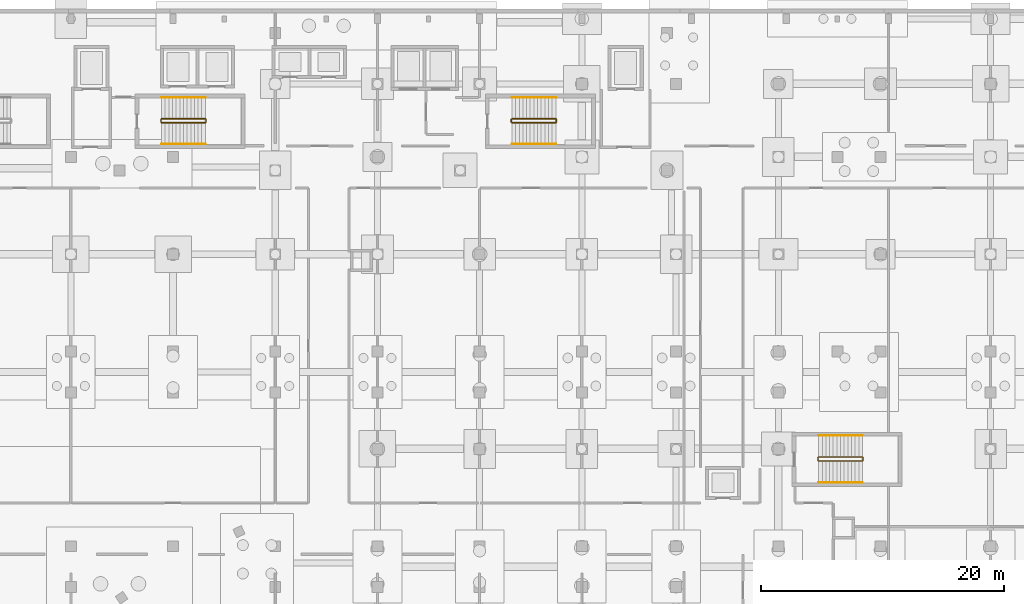
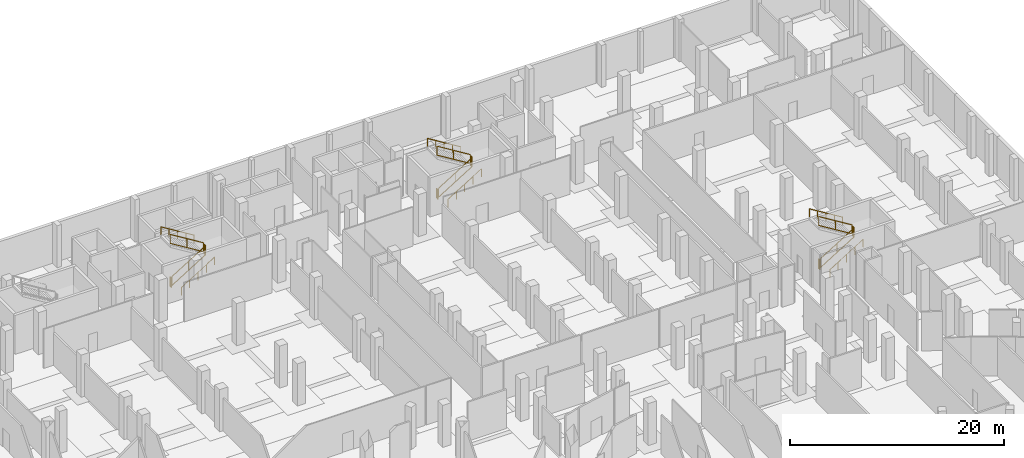
# One storey, part 44 of 45: 18 railings.
"""IFC4 building model written with IfcOpenShell, lengths in metres."""

from ifc_helpers import new_model, si_unit, direction, frame, origin, origin_2d, place, context, subcontext, project, spatial, rectangle, circle, extrude, material, type_object, element, save


model = new_model("IFC4")

# Units and contexts
model_context = context("Model", 3, precision=1e-05, world=origin(), true_north=direction((0.0, 1.0)))
body_context = subcontext(model_context, "Body", "Model", "MODEL_VIEW")
ifc_project = project(units=[si_unit("LENGTHUNIT", "METRE"), si_unit("AREAUNIT", "SQUARE_METRE"), si_unit("VOLUMEUNIT", "CUBIC_METRE"), si_unit("PLANEANGLEUNIT", "RADIAN"), si_unit("MASSUNIT", "GRAM", prefix="KILO")], contexts=[model_context])

# Site, building, storey
site_placement = place(None, origin())
site = spatial("IfcSite", under=ifc_project, at=site_placement, CompositionType="ELEMENT")
building_placement = place(site_placement, origin())
building = spatial("IfcBuilding", under=site, at=building_placement, Name="Selatvlak General Hospital", CompositionType="ELEMENT")
storey_placement = place(building_placement, frame((0.0, 0.0, -4.800048828125)))
storey = spatial("IfcBuildingStorey", under=building, at=storey_placement, Name="B1", CompositionType="ELEMENT", Elevation=-4.800048828125)

# Railings
ifc_material_1 = material(Name="Stainless steel 316 stair guard", Category="steel")
railing_type_1 = type_object("IfcRailingType", Name="RAIL-STG", PredefinedType="GUARDRAIL", material=ifc_material_1)
railing_1_placement = place(storey_placement, frame((105.860107421875, 110.81005859375, 0.1845703125)))
element("IfcRailing", 1, at=railing_1_placement, inside=storey, type_object=railing_type_1, Name="B1 ST-03 stair guard 1", PredefinedType="GUARDRAIL", context=body_context, shape_type="SweptSolid", body=[
    extrude(rectangle(XDim=0.068115234375, YDim=0.068115234375, at=origin_2d()), frame((0.00244140625, 0.0, 1.067626953125), z_axis=(0.851628569182, 0.0, 0.524145762315), x_axis=(0.0, 1.0, 0.0)), (0.0, 0.0, 1.0), 4.22119140625),
    extrude(rectangle(XDim=0.068115234375, YDim=0.068115234375, at=origin_2d()), frame((0.00244140625, 0.0, 0.050537109375), z_axis=(0.851628569182, 0.0, 0.524145762315), x_axis=(0.0, 1.0, 0.0)), (0.0, 0.0, 1.0), 4.22119140625),
    extrude(rectangle(XDim=0.055908203125, YDim=0.055908203125, at=origin_2d()), origin(), (0.0, 0.0, 1.0), 1.029052734375),
    extrude(rectangle(XDim=0.055908203125, YDim=0.055908203125, at=origin_2d()), frame((1.7998046875, 0.0, 1.10791015625)), (0.0, 0.0, 1.0), 1.029052734375),
    extrude(rectangle(XDim=0.055908203125, YDim=0.055908203125, at=origin_2d()), frame((3.599853515625, 0.0, 2.215576171875)), (0.0, 0.0, 1.0), 1.029052734375),
])
railing_2_placement = place(storey_placement, frame((109.510009765625, 110.860107421875, 2.400146484375)))
element("IfcRailing", 2, at=railing_2_placement, inside=storey, type_object=railing_type_1, Name="B1 ST-03 stair guard 2", PredefinedType="GUARDRAIL", context=body_context, shape_type="SweptSolid", body=[
    extrude(rectangle(XDim=0.068115234375, YDim=0.068115234375, at=origin_2d()), frame((0.0, 0.0029296875, 1.06591796875), z_axis=(0.0, 1.0, 0.0), x_axis=(-1.0, 0.0, 0.0)), (0.0, 0.0, 1.0), 0.214111328125),
    extrude(rectangle(XDim=0.068115234375, YDim=0.068115234375, at=origin_2d()), frame((0.0, 0.0029296875, 0.049072265625), z_axis=(0.0, 1.0, 0.0), x_axis=(-1.0, 0.0, 0.0)), (0.0, 0.0, 1.0), 0.214111328125),
    extrude(rectangle(XDim=0.055908203125, YDim=0.055908203125, at=origin_2d()), origin(), (0.0, 0.0, 1.0), 1.029052734375),
    extrude(rectangle(XDim=0.055908203125, YDim=0.055908203125, at=origin_2d()), frame((0.0, 0.219970703125, 0.0)), (0.0, 0.0, 1.0), 1.029052734375),
])
railing_3_placement = place(storey_placement, frame((109.4599609375, 111.1298828125, 2.584716796875)))
element("IfcRailing", 3, at=railing_3_placement, inside=storey, type_object=railing_type_1, Name="B1 ST-03 stair guard 3", PredefinedType="GUARDRAIL", context=body_context, shape_type="SweptSolid", body=[
    extrude(rectangle(XDim=0.068115234375, YDim=0.068115234375, at=origin_2d()), frame((-0.00244140625, 0.0, 1.067626953125), z_axis=(-0.851654350407, 0.0, 0.524103870844), x_axis=(0.0, -1.0, 0.0)), (0.0, 0.0, 1.0), 4.220947265625),
    extrude(rectangle(XDim=0.068115234375, YDim=0.068115234375, at=origin_2d()), frame((-0.00244140625, 0.0, 0.050537109375), z_axis=(-0.851654350407, 0.0, 0.524103870844), x_axis=(0.0, -1.0, 0.0)), (0.0, 0.0, 1.0), 4.220947265625),
    extrude(rectangle(XDim=0.055908203125, YDim=0.055908203125, at=origin_2d()), origin(), (0.0, 0.0, 1.0), 1.029052734375),
    extrude(rectangle(XDim=0.055908203125, YDim=0.055908203125, at=origin_2d()), frame((-1.7998046875, 0.0, 1.107666015625)), (0.0, 0.0, 1.0), 1.029052734375),
    extrude(rectangle(XDim=0.055908203125, YDim=0.055908203125, at=origin_2d()), frame((-3.599853515625, 0.0, 2.21533203125)), (0.0, 0.0, 1.0), 1.029052734375),
])
railing_4_placement = place(storey_placement, frame((105.81005859375, 110.860107421875, 0.0)))
element("IfcRailing", 4, at=railing_4_placement, inside=storey, type_object=railing_type_1, Name="B1 ST-03 stair guard 4", PredefinedType="GUARDRAIL", context=body_context, shape_type="SweptSolid", body=[
    extrude(rectangle(XDim=0.068115234375, YDim=0.068115234375, at=origin_2d()), frame((0.0, 0.0029296875, 1.06591796875), z_axis=(0.0, 1.0, 0.0), x_axis=(-1.0, 0.0, 0.0)), (0.0, 0.0, 1.0), 0.214111328125),
    extrude(rectangle(XDim=0.068115234375, YDim=0.068115234375, at=origin_2d()), frame((0.0, 0.0029296875, 0.049072265625), z_axis=(0.0, 1.0, 0.0), x_axis=(-1.0, 0.0, 0.0)), (0.0, 0.0, 1.0), 0.214111328125),
    extrude(rectangle(XDim=0.055908203125, YDim=0.055908203125, at=origin_2d()), origin(), (0.0, 0.0, 1.0), 1.029052734375),
    extrude(rectangle(XDim=0.055908203125, YDim=0.055908203125, at=origin_2d()), frame((0.0, 0.219970703125, 0.0)), (0.0, 0.0, 1.0), 1.029052734375),
])
railing_5_placement = place(storey_placement, frame((134.659912109375, 110.81005859375, 0.1845703125)))
element("IfcRailing", 5, at=railing_5_placement, inside=storey, type_object=railing_type_1, Name="B1 ST-04 stair guard 1", PredefinedType="GUARDRAIL", context=body_context, shape_type="SweptSolid", body=[
    extrude(rectangle(XDim=0.068115234375, YDim=0.068115234375, at=origin_2d()), frame((0.00244140625, 0.0, 1.067626953125), z_axis=(0.851644435552, 0.0, 0.524119981868), x_axis=(0.0, 1.0, 0.0)), (0.0, 0.0, 1.0), 4.221435546875),
    extrude(rectangle(XDim=0.068115234375, YDim=0.068115234375, at=origin_2d()), frame((0.00244140625, 0.0, 0.050537109375), z_axis=(0.851644435552, 0.0, 0.524119981868), x_axis=(0.0, 1.0, 0.0)), (0.0, 0.0, 1.0), 4.221435546875),
    extrude(rectangle(XDim=0.055908203125, YDim=0.055908203125, at=origin_2d()), origin(), (0.0, 0.0, 1.0), 1.029052734375),
    extrude(rectangle(XDim=0.055908203125, YDim=0.055908203125, at=origin_2d()), frame((1.800048828125, 0.0, 1.10791015625)), (0.0, 0.0, 1.0), 1.029052734375),
    extrude(rectangle(XDim=0.055908203125, YDim=0.055908203125, at=origin_2d()), frame((3.60009765625, 0.0, 2.215576171875)), (0.0, 0.0, 1.0), 1.029052734375),
])
railing_6_placement = place(storey_placement, frame((138.31005859375, 110.860107421875, 2.400146484375)))
element("IfcRailing", 6, at=railing_6_placement, inside=storey, type_object=railing_type_1, Name="B1 ST-04 stair guard 2", PredefinedType="GUARDRAIL", context=body_context, shape_type="SweptSolid", body=[
    extrude(rectangle(XDim=0.068115234375, YDim=0.068115234375, at=origin_2d()), frame((0.0, 0.0029296875, 1.06591796875), z_axis=(0.0, 1.0, 0.0), x_axis=(-1.0, 0.0, 0.0)), (0.0, 0.0, 1.0), 0.214111328125),
    extrude(rectangle(XDim=0.068115234375, YDim=0.068115234375, at=origin_2d()), frame((0.0, 0.0029296875, 0.049072265625), z_axis=(0.0, 1.0, 0.0), x_axis=(-1.0, 0.0, 0.0)), (0.0, 0.0, 1.0), 0.214111328125),
    extrude(rectangle(XDim=0.055908203125, YDim=0.055908203125, at=origin_2d()), origin(), (0.0, 0.0, 1.0), 1.029052734375),
    extrude(rectangle(XDim=0.055908203125, YDim=0.055908203125, at=origin_2d()), frame((0.0, 0.219970703125, 0.0)), (0.0, 0.0, 1.0), 1.029052734375),
])
railing_7_placement = place(storey_placement, frame((138.260009765625, 111.1298828125, 2.584716796875)))
element("IfcRailing", 7, at=railing_7_placement, inside=storey, type_object=railing_type_1, Name="B1 ST-04 stair guard 3", PredefinedType="GUARDRAIL", context=body_context, shape_type="SweptSolid", body=[
    extrude(rectangle(XDim=0.068115234375, YDim=0.068115234375, at=origin_2d()), frame((-0.00244140625, 0.0, 1.067626953125), z_axis=(-0.85167021472, 0.0, 0.524078090897), x_axis=(0.0, -1.0, 0.0)), (0.0, 0.0, 1.0), 4.22119140625),
    extrude(rectangle(XDim=0.068115234375, YDim=0.068115234375, at=origin_2d()), frame((-0.00244140625, 0.0, 0.050537109375), z_axis=(-0.85167021472, 0.0, 0.524078090897), x_axis=(0.0, -1.0, 0.0)), (0.0, 0.0, 1.0), 4.22119140625),
    extrude(rectangle(XDim=0.055908203125, YDim=0.055908203125, at=origin_2d()), origin(), (0.0, 0.0, 1.0), 1.029052734375),
    extrude(rectangle(XDim=0.055908203125, YDim=0.055908203125, at=origin_2d()), frame((-1.800048828125, 0.0, 1.107666015625)), (0.0, 0.0, 1.0), 1.029052734375),
    extrude(rectangle(XDim=0.055908203125, YDim=0.055908203125, at=origin_2d()), frame((-3.60009765625, 0.0, 2.21533203125)), (0.0, 0.0, 1.0), 1.029052734375),
])
railing_8_placement = place(storey_placement, frame((134.610107421875, 110.860107421875, 0.0)))
element("IfcRailing", 8, at=railing_8_placement, inside=storey, type_object=railing_type_1, Name="B1 ST-04 stair guard 4", PredefinedType="GUARDRAIL", context=body_context, shape_type="SweptSolid", body=[
    extrude(rectangle(XDim=0.068115234375, YDim=0.068115234375, at=origin_2d()), frame((0.0, 0.0029296875, 1.06591796875), z_axis=(0.0, 1.0, 0.0), x_axis=(-1.0, 0.0, 0.0)), (0.0, 0.0, 1.0), 0.214111328125),
    extrude(rectangle(XDim=0.068115234375, YDim=0.068115234375, at=origin_2d()), frame((0.0, 0.0029296875, 0.049072265625), z_axis=(0.0, 1.0, 0.0), x_axis=(-1.0, 0.0, 0.0)), (0.0, 0.0, 1.0), 0.214111328125),
    extrude(rectangle(XDim=0.055908203125, YDim=0.055908203125, at=origin_2d()), origin(), (0.0, 0.0, 1.0), 1.029052734375),
    extrude(rectangle(XDim=0.055908203125, YDim=0.055908203125, at=origin_2d()), frame((0.0, 0.219970703125, 0.0)), (0.0, 0.0, 1.0), 1.029052734375),
])
railing_9_placement = place(storey_placement, frame((159.860107421875, 83.010009765625, 0.1845703125)))
element("IfcRailing", 9, at=railing_9_placement, inside=storey, type_object=railing_type_1, Name="B1 ST-06 stair guard 1", PredefinedType="GUARDRAIL", context=body_context, shape_type="SweptSolid", body=[
    extrude(rectangle(XDim=0.068115234375, YDim=0.068115234375, at=origin_2d()), frame((0.00244140625, 0.0, 1.067626953125), z_axis=(0.851628569182, 0.0, 0.524145762315), x_axis=(0.0, 1.0, 0.0)), (0.0, 0.0, 1.0), 4.22119140625),
    extrude(rectangle(XDim=0.068115234375, YDim=0.068115234375, at=origin_2d()), frame((0.00244140625, 0.0, 0.050537109375), z_axis=(0.851628569182, 0.0, 0.524145762315), x_axis=(0.0, 1.0, 0.0)), (0.0, 0.0, 1.0), 4.22119140625),
    extrude(rectangle(XDim=0.055908203125, YDim=0.055908203125, at=origin_2d()), origin(), (0.0, 0.0, 1.0), 1.029052734375),
    extrude(rectangle(XDim=0.055908203125, YDim=0.055908203125, at=origin_2d()), frame((1.7998046875, 0.0, 1.10791015625)), (0.0, 0.0, 1.0), 1.029052734375),
    extrude(rectangle(XDim=0.055908203125, YDim=0.055908203125, at=origin_2d()), frame((3.599853515625, 0.0, 2.215576171875)), (0.0, 0.0, 1.0), 1.029052734375),
])
railing_10_placement = place(storey_placement, frame((163.510009765625, 83.06005859375, 2.400146484375)))
element("IfcRailing", 10, at=railing_10_placement, inside=storey, type_object=railing_type_1, Name="B1 ST-06 stair guard 2", PredefinedType="GUARDRAIL", context=body_context, shape_type="SweptSolid", body=[
    extrude(rectangle(XDim=0.068115234375, YDim=0.068115234375, at=origin_2d()), frame((0.0, 0.0029296875, 1.06591796875), z_axis=(0.0, 1.0, 0.0), x_axis=(-1.0, 0.0, 0.0)), (0.0, 0.0, 1.0), 0.214111328125),
    extrude(rectangle(XDim=0.068115234375, YDim=0.068115234375, at=origin_2d()), frame((0.0, 0.0029296875, 0.049072265625), z_axis=(0.0, 1.0, 0.0), x_axis=(-1.0, 0.0, 0.0)), (0.0, 0.0, 1.0), 0.214111328125),
    extrude(rectangle(XDim=0.055908203125, YDim=0.055908203125, at=origin_2d()), origin(), (0.0, 0.0, 1.0), 1.029052734375),
    extrude(rectangle(XDim=0.055908203125, YDim=0.055908203125, at=origin_2d()), frame((0.0, 0.219970703125, 0.0)), (0.0, 0.0, 1.0), 1.029052734375),
])
railing_11_placement = place(storey_placement, frame((163.4599609375, 83.330078125, 2.584716796875)))
element("IfcRailing", 11, at=railing_11_placement, inside=storey, type_object=railing_type_1, Name="B1 ST-06 stair guard 3", PredefinedType="GUARDRAIL", context=body_context, shape_type="SweptSolid", body=[
    extrude(rectangle(XDim=0.068115234375, YDim=0.068115234375, at=origin_2d()), frame((-0.00244140625, 0.0, 1.067626953125), z_axis=(-0.851654350407, 0.0, 0.524103870844), x_axis=(0.0, -1.0, 0.0)), (0.0, 0.0, 1.0), 4.220947265625),
    extrude(rectangle(XDim=0.068115234375, YDim=0.068115234375, at=origin_2d()), frame((-0.00244140625, 0.0, 0.050537109375), z_axis=(-0.851654350407, 0.0, 0.524103870844), x_axis=(0.0, -1.0, 0.0)), (0.0, 0.0, 1.0), 4.220947265625),
    extrude(rectangle(XDim=0.055908203125, YDim=0.055908203125, at=origin_2d()), origin(), (0.0, 0.0, 1.0), 1.029052734375),
    extrude(rectangle(XDim=0.055908203125, YDim=0.055908203125, at=origin_2d()), frame((-1.7998046875, 0.0, 1.107666015625)), (0.0, 0.0, 1.0), 1.029052734375),
    extrude(rectangle(XDim=0.055908203125, YDim=0.055908203125, at=origin_2d()), frame((-3.599853515625, 0.0, 2.21533203125)), (0.0, 0.0, 1.0), 1.029052734375),
])
railing_12_placement = place(storey_placement, frame((159.81005859375, 83.06005859375, 0.0)))
element("IfcRailing", 12, at=railing_12_placement, inside=storey, type_object=railing_type_1, Name="B1 ST-06 stair guard 4", PredefinedType="GUARDRAIL", context=body_context, shape_type="SweptSolid", body=[
    extrude(rectangle(XDim=0.068115234375, YDim=0.068115234375, at=origin_2d()), frame((0.0, 0.0029296875, 1.06591796875), z_axis=(0.0, 1.0, 0.0), x_axis=(-1.0, 0.0, 0.0)), (0.0, 0.0, 1.0), 0.214111328125),
    extrude(rectangle(XDim=0.068115234375, YDim=0.068115234375, at=origin_2d()), frame((0.0, 0.0029296875, 0.049072265625), z_axis=(0.0, 1.0, 0.0), x_axis=(-1.0, 0.0, 0.0)), (0.0, 0.0, 1.0), 0.214111328125),
    extrude(rectangle(XDim=0.055908203125, YDim=0.055908203125, at=origin_2d()), origin(), (0.0, 0.0, 1.0), 1.029052734375),
    extrude(rectangle(XDim=0.055908203125, YDim=0.055908203125, at=origin_2d()), frame((0.0, 0.219970703125, 0.0)), (0.0, 0.0, 1.0), 1.029052734375),
])
ifc_material_2 = material(Name="Stainless steel 316 handrail", Category="steel")
railing_type_2 = type_object("IfcRailingType", Name="RAIL-STH", PredefinedType="HANDRAIL", material=ifc_material_2)
railing_13_placement = place(storey_placement, frame((105.860107421875, 109.050048828125, 0.1845703125)))
element("IfcRailing", 13, at=railing_13_placement, inside=storey, type_object=railing_type_2, Name="B1 ST-03 stair handrail 1", PredefinedType="HANDRAIL", context=body_context, shape_type="SweptSolid", body=[
    extrude(circle(Radius=0.02392578125, at=origin_2d()), frame((0.00244140625, 0.0, 0.87744140625), z_axis=(0.851628569182, 0.0, 0.524145762315), x_axis=(0.0, 1.0, 0.0)), (0.0, 0.0, 1.0), 4.22119140625),
    extrude(circle(Radius=0.02099609375, at=origin_2d()), origin(), (0.0, 0.0, 1.0), 0.848876953125),
    extrude(circle(Radius=0.02099609375, at=origin_2d()), frame((0.89990234375, 0.0, 0.553955078125)), (0.0, 0.0, 1.0), 0.848876953125),
    extrude(circle(Radius=0.02099609375, at=origin_2d()), frame((1.7998046875, 0.0, 1.10791015625)), (0.0, 0.0, 1.0), 0.848876953125),
    extrude(circle(Radius=0.02099609375, at=origin_2d()), frame((2.699951171875, 0.0, 1.66162109375)), (0.0, 0.0, 1.0), 0.848876953125),
    extrude(circle(Radius=0.02099609375, at=origin_2d()), frame((3.599853515625, 0.0, 2.215576171875)), (0.0, 0.0, 1.0), 0.848876953125),
])
railing_14_placement = place(storey_placement, frame((109.4599609375, 112.889892578125, 2.584716796875)))
element("IfcRailing", 14, at=railing_14_placement, inside=storey, type_object=railing_type_2, Name="B1 ST-03 stair handrail 2", PredefinedType="HANDRAIL", context=body_context, shape_type="SweptSolid", body=[
    extrude(circle(Radius=0.02392578125, at=origin_2d()), frame((-0.00244140625, 0.0, 0.87744140625), z_axis=(-0.851654350407, 0.0, 0.524103870844), x_axis=(0.0, -1.0, 0.0)), (0.0, 0.0, 1.0), 4.220947265625),
    extrude(circle(Radius=0.02099609375, at=origin_2d()), origin(), (0.0, 0.0, 1.0), 0.848876953125),
    extrude(circle(Radius=0.02099609375, at=origin_2d()), frame((-0.89990234375, 0.0, 0.5537109375)), (0.0, 0.0, 1.0), 0.848876953125),
    extrude(circle(Radius=0.02099609375, at=origin_2d()), frame((-1.7998046875, 0.0, 1.107666015625)), (0.0, 0.0, 1.0), 0.848876953125),
    extrude(circle(Radius=0.02099609375, at=origin_2d()), frame((-2.699951171875, 0.0, 1.66162109375)), (0.0, 0.0, 1.0), 0.848876953125),
    extrude(circle(Radius=0.02099609375, at=origin_2d()), frame((-3.599853515625, 0.0, 2.21533203125)), (0.0, 0.0, 1.0), 0.848876953125),
])
railing_15_placement = place(storey_placement, frame((134.659912109375, 109.050048828125, 0.1845703125)))
element("IfcRailing", 15, at=railing_15_placement, inside=storey, type_object=railing_type_2, Name="B1 ST-04 stair handrail 1", PredefinedType="HANDRAIL", context=body_context, shape_type="SweptSolid", body=[
    extrude(circle(Radius=0.02392578125, at=origin_2d()), frame((0.00244140625, 0.0, 0.87744140625), z_axis=(0.851644435552, 0.0, 0.524119981868), x_axis=(0.0, 1.0, 0.0)), (0.0, 0.0, 1.0), 4.221435546875),
    extrude(circle(Radius=0.02099609375, at=origin_2d()), origin(), (0.0, 0.0, 1.0), 0.848876953125),
    extrude(circle(Radius=0.02099609375, at=origin_2d()), frame((0.89990234375, 0.0, 0.553955078125)), (0.0, 0.0, 1.0), 0.848876953125),
    extrude(circle(Radius=0.02099609375, at=origin_2d()), frame((1.800048828125, 0.0, 1.10791015625)), (0.0, 0.0, 1.0), 0.848876953125),
    extrude(circle(Radius=0.02099609375, at=origin_2d()), frame((2.7001953125, 0.0, 1.66162109375)), (0.0, 0.0, 1.0), 0.848876953125),
    extrude(circle(Radius=0.02099609375, at=origin_2d()), frame((3.60009765625, 0.0, 2.215576171875)), (0.0, 0.0, 1.0), 0.848876953125),
])
railing_16_placement = place(storey_placement, frame((138.260009765625, 112.889892578125, 2.584716796875)))
element("IfcRailing", 16, at=railing_16_placement, inside=storey, type_object=railing_type_2, Name="B1 ST-04 stair handrail 2", PredefinedType="HANDRAIL", context=body_context, shape_type="SweptSolid", body=[
    extrude(circle(Radius=0.02392578125, at=origin_2d()), frame((-0.00244140625, 0.0, 0.87744140625), z_axis=(-0.85167021472, 0.0, 0.524078090897), x_axis=(0.0, -1.0, 0.0)), (0.0, 0.0, 1.0), 4.22119140625),
    extrude(circle(Radius=0.02099609375, at=origin_2d()), origin(), (0.0, 0.0, 1.0), 0.848876953125),
    extrude(circle(Radius=0.02099609375, at=origin_2d()), frame((-0.89990234375, 0.0, 0.5537109375)), (0.0, 0.0, 1.0), 0.848876953125),
    extrude(circle(Radius=0.02099609375, at=origin_2d()), frame((-1.800048828125, 0.0, 1.107666015625)), (0.0, 0.0, 1.0), 0.848876953125),
    extrude(circle(Radius=0.02099609375, at=origin_2d()), frame((-2.7001953125, 0.0, 1.66162109375)), (0.0, 0.0, 1.0), 0.848876953125),
    extrude(circle(Radius=0.02099609375, at=origin_2d()), frame((-3.60009765625, 0.0, 2.21533203125)), (0.0, 0.0, 1.0), 0.848876953125),
])
railing_17_placement = place(storey_placement, frame((159.860107421875, 81.25, 0.1845703125)))
element("IfcRailing", 17, at=railing_17_placement, inside=storey, type_object=railing_type_2, Name="B1 ST-06 stair handrail 1", PredefinedType="HANDRAIL", context=body_context, shape_type="SweptSolid", body=[
    extrude(circle(Radius=0.02392578125, at=origin_2d()), frame((0.00244140625, 0.0, 0.87744140625), z_axis=(0.851628569182, 0.0, 0.524145762315), x_axis=(0.0, 1.0, 0.0)), (0.0, 0.0, 1.0), 4.22119140625),
    extrude(circle(Radius=0.02099609375, at=origin_2d()), origin(), (0.0, 0.0, 1.0), 0.848876953125),
    extrude(circle(Radius=0.02099609375, at=origin_2d()), frame((0.89990234375, 0.0, 0.553955078125)), (0.0, 0.0, 1.0), 0.848876953125),
    extrude(circle(Radius=0.02099609375, at=origin_2d()), frame((1.7998046875, 0.0, 1.10791015625)), (0.0, 0.0, 1.0), 0.848876953125),
    extrude(circle(Radius=0.02099609375, at=origin_2d()), frame((2.699951171875, 0.0, 1.66162109375)), (0.0, 0.0, 1.0), 0.848876953125),
    extrude(circle(Radius=0.02099609375, at=origin_2d()), frame((3.599853515625, 0.0, 2.215576171875)), (0.0, 0.0, 1.0), 0.848876953125),
])
railing_18_placement = place(storey_placement, frame((163.4599609375, 85.090087890625, 2.584716796875)))
element("IfcRailing", 18, at=railing_18_placement, inside=storey, type_object=railing_type_2, Name="B1 ST-06 stair handrail 2", PredefinedType="HANDRAIL", context=body_context, shape_type="SweptSolid", body=[
    extrude(circle(Radius=0.02392578125, at=origin_2d()), frame((-0.00244140625, 0.0, 0.87744140625), z_axis=(-0.851654350407, 0.0, 0.524103870844), x_axis=(0.0, -1.0, 0.0)), (0.0, 0.0, 1.0), 4.220947265625),
    extrude(circle(Radius=0.02099609375, at=origin_2d()), origin(), (0.0, 0.0, 1.0), 0.848876953125),
    extrude(circle(Radius=0.02099609375, at=origin_2d()), frame((-0.89990234375, 0.0, 0.5537109375)), (0.0, 0.0, 1.0), 0.848876953125),
    extrude(circle(Radius=0.02099609375, at=origin_2d()), frame((-1.7998046875, 0.0, 1.107666015625)), (0.0, 0.0, 1.0), 0.848876953125),
    extrude(circle(Radius=0.02099609375, at=origin_2d()), frame((-2.699951171875, 0.0, 1.66162109375)), (0.0, 0.0, 1.0), 0.848876953125),
    extrude(circle(Radius=0.02099609375, at=origin_2d()), frame((-3.599853515625, 0.0, 2.21533203125)), (0.0, 0.0, 1.0), 0.848876953125),
])

save(model, "model.ifc")
